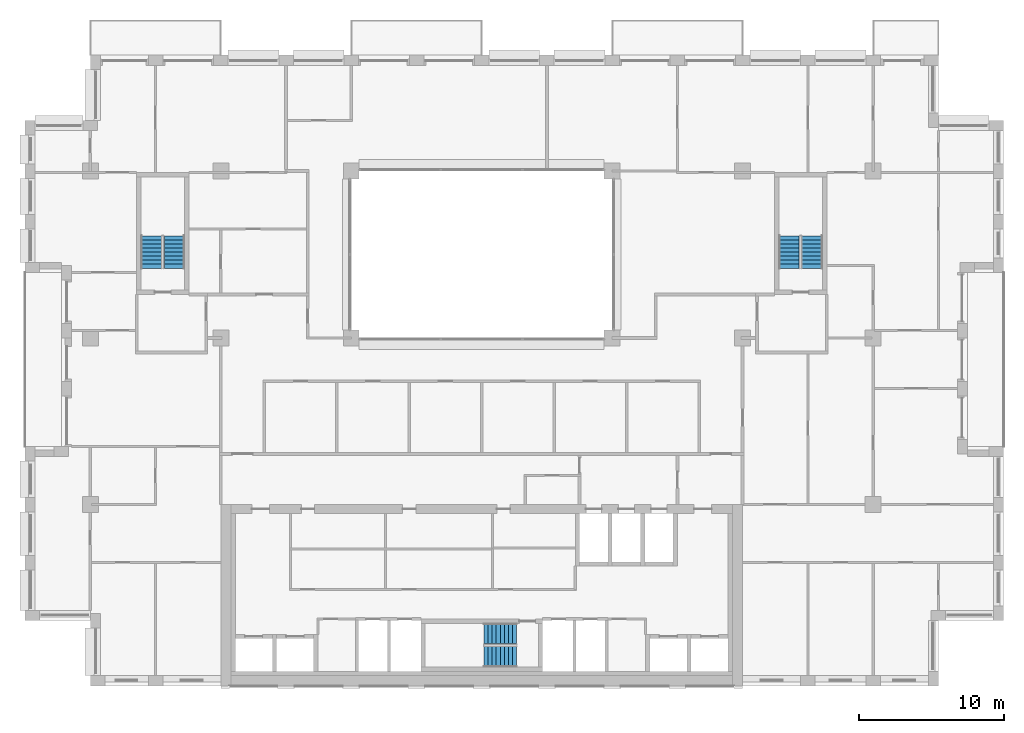
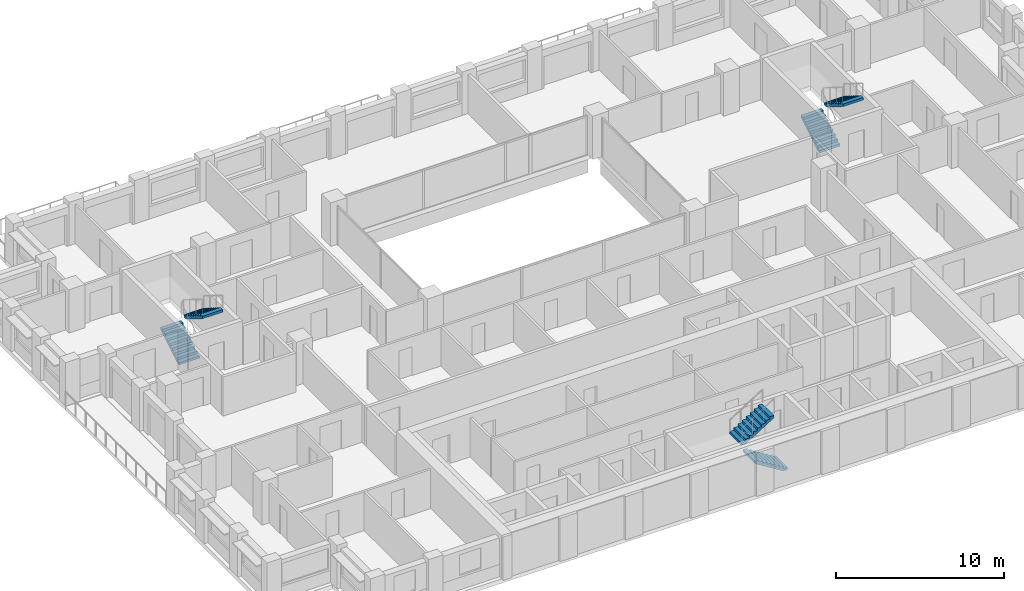
# One storey, part 15 of 16: 6 stair flights, 3 elements without a shape of their own.
"""IFC4 building model written with IfcOpenShell, lengths in metres."""

from ifc_helpers import new_model, si_unit, direction, frame, origin, place, context, subcontext, project, spatial, polyline, outline, extrude, material, type_object, element, aggregate, save


model = new_model("IFC4")

# Units and contexts
model_context = context("Model", 3, precision=1e-05, world=origin(), true_north=direction((0.0, 1.0)))
body_context = subcontext(model_context, "Body", "Model", "MODEL_VIEW")
ifc_project = project(units=[si_unit("LENGTHUNIT", "METRE"), si_unit("AREAUNIT", "SQUARE_METRE"), si_unit("VOLUMEUNIT", "CUBIC_METRE"), si_unit("PLANEANGLEUNIT", "RADIAN"), si_unit("MASSUNIT", "GRAM", prefix="KILO")], contexts=[model_context])

# Site, building, storey
site_placement = place(None, origin())
site = spatial("IfcSite", under=ifc_project, at=site_placement, CompositionType="ELEMENT")
building_placement = place(site_placement, origin())
building = spatial("IfcBuilding", under=site, at=building_placement, Name="Brigalow Station Residences", CompositionType="ELEMENT")
storey_placement = place(building_placement, frame((0.0, 0.0, 179.10009765625)))
storey = spatial("IfcBuildingStorey", under=building, at=storey_placement, Name="L52", CompositionType="ELEMENT", Elevation=179.10009765625)

# Stair, stair flights
ifc_material_1 = material(Name="Concrete C50", Category="concrete")
stair_type = type_object("IfcStairType", Name="EXIT STAIR 1400 2 FLIGHT", PredefinedType="HALF_TURN_STAIR", material=ifc_material_1)
stair_1_placement = place(storey_placement, origin())
stair_1 = element("IfcStair", 1, at=stair_1_placement, inside=storey, type_object=stair_type, Name="EXIT STAIR S2 L52", PredefinedType="HALF_TURN_STAIR")
ifc_material_2 = material(Name="Concrete C50", Category="concrete")
stair_flight_type = type_object("IfcStairFlightType", Name="STAIR FLIGHT 1400", PredefinedType="STRAIGHT", material=ifc_material_2)
stair_flight_1_placement = place(storey_placement, frame((38.39990234375, 2.0, 0.0), z_axis=(0.0, 0.0, 1.0), x_axis=(-1.0, 0.0, 0.0)))
stair_flight_1 = element("IfcStairFlight", 2, at=stair_flight_1_placement, type_object=stair_flight_type, Name="ST-2 flight 1", NumberOfRisers=9, NumberOfTreads=8, PredefinedType="STRAIGHT", RiserHeight=0.175, TreadLength=0.28, context=body_context, shape_type="SweptSolid", body=[
    extrude(outline(polyline([(0.0, 0.0), (0.0, 0.175048828125), (0.280029296875, 0.175048828125), (0.280029296875, 0.35009765625), (0.56005859375, 0.35009765625), (0.56005859375, 0.52490234375), (0.840087890625, 0.52490234375), (0.840087890625, 0.699951171875), (1.1201171875, 0.699951171875), (1.1201171875, 0.875), (1.39990234375, 0.875), (1.39990234375, 1.050048828125), (1.679931640625, 1.050048828125), (1.679931640625, 1.22509765625), (1.9599609375, 1.22509765625), (1.9599609375, 1.39990234375), (2.239990234375, 1.39990234375), (2.239990234375, 1.574951171875), (2.239990234375, 1.22314453125), (0.28271484375, 0.0), (0.0, 0.0)])), frame((0.0, 0.699951171875, 0.0), z_axis=(0.0, -1.0, 0.0), x_axis=(1.0, 0.0, 0.0)), (0.0, 0.0, 1.0), 1.39990234375),
])
stair_flight_2_placement = place(storey_placement, frame((36.159912109375, 3.60009765625, 1.574951171875), z_axis=(0.0, 0.0, 1.0), x_axis=(1.0, 0.0, 0.0)))
stair_flight_2 = element("IfcStairFlight", 3, at=stair_flight_2_placement, type_object=stair_flight_type, Name="ST-2 flight 2", NumberOfRisers=9, NumberOfTreads=8, PredefinedType="STRAIGHT", RiserHeight=0.175, TreadLength=0.28, context=body_context, shape_type="SweptSolid", body=[
    extrude(outline(polyline([(0.0, 0.0), (0.0, 0.175048828125), (0.280029296875, 0.175048828125), (0.280029296875, 0.35009765625), (0.56005859375, 0.35009765625), (0.56005859375, 0.52490234375), (0.840087890625, 0.52490234375), (0.840087890625, 0.699951171875), (1.1201171875, 0.699951171875), (1.1201171875, 0.875), (1.39990234375, 0.875), (1.39990234375, 1.050048828125), (1.679931640625, 1.050048828125), (1.679931640625, 1.22509765625), (1.9599609375, 1.22509765625), (1.9599609375, 1.39990234375), (2.239990234375, 1.39990234375), (2.239990234375, 1.574951171875), (2.239990234375, 1.22314453125), (0.28271484375, 0.0), (0.0, 0.0)])), frame((0.0, 0.699951171875, 0.0), z_axis=(0.0, -1.0, 0.0), x_axis=(1.0, 0.0, 0.0)), (0.0, 0.0, 1.0), 1.39990234375),
])
aggregate(stair_1, [stair_flight_1, stair_flight_2])

stair_2_placement = place(storey_placement, origin())
stair_2 = element("IfcStair", 4, at=stair_2_placement, inside=storey, type_object=stair_type, Name="EXIT STAIR S1 L52", PredefinedType="HALF_TURN_STAIR")
stair_flight_3_placement = place(storey_placement, frame((13.199951171875, 28.800048828125, 0.0), z_axis=(0.0, 0.0, 1.0), x_axis=(0.0, 1.0, 0.0)))
stair_flight_3 = element("IfcStairFlight", 5, at=stair_flight_3_placement, type_object=stair_flight_type, Name="ST-1 flight 1", NumberOfRisers=9, NumberOfTreads=8, PredefinedType="STRAIGHT", RiserHeight=0.175, TreadLength=0.28, context=body_context, shape_type="SweptSolid", body=[
    extrude(outline(polyline([(0.0, 0.0), (0.0, 0.175048828125), (0.280029296875, 0.175048828125), (0.280029296875, 0.35009765625), (0.56005859375, 0.35009765625), (0.56005859375, 0.52490234375), (0.840087890625, 0.52490234375), (0.840087890625, 0.699951171875), (1.1201171875, 0.699951171875), (1.1201171875, 0.875), (1.39990234375, 0.875), (1.39990234375, 1.050048828125), (1.679931640625, 1.050048828125), (1.679931640625, 1.22509765625), (1.9599609375, 1.22509765625), (1.9599609375, 1.39990234375), (2.239990234375, 1.39990234375), (2.239990234375, 1.574951171875), (2.239990234375, 1.22314453125), (0.28271484375, 0.0), (0.0, 0.0)])), frame((0.0, 0.699951171875, 0.0), z_axis=(0.0, -1.0, 0.0), x_axis=(1.0, 0.0, 0.0)), (0.0, 0.0, 1.0), 1.39990234375),
])
stair_flight_4_placement = place(storey_placement, frame((14.800048828125, 31.0400390625, 1.574951171875), z_axis=(0.0, 0.0, 1.0), x_axis=(0.0, -1.0, 0.0)))
stair_flight_4 = element("IfcStairFlight", 6, at=stair_flight_4_placement, type_object=stair_flight_type, Name="ST-1 flight 2", NumberOfRisers=9, NumberOfTreads=8, PredefinedType="STRAIGHT", RiserHeight=0.175, TreadLength=0.28, context=body_context, shape_type="SweptSolid", body=[
    extrude(outline(polyline([(0.0, 0.0), (0.0, 0.175048828125), (0.280029296875, 0.175048828125), (0.280029296875, 0.35009765625), (0.56005859375, 0.35009765625), (0.56005859375, 0.52490234375), (0.840087890625, 0.52490234375), (0.840087890625, 0.699951171875), (1.1201171875, 0.699951171875), (1.1201171875, 0.875), (1.39990234375, 0.875), (1.39990234375, 1.050048828125), (1.679931640625, 1.050048828125), (1.679931640625, 1.22509765625), (1.9599609375, 1.22509765625), (1.9599609375, 1.39990234375), (2.239990234375, 1.39990234375), (2.239990234375, 1.574951171875), (2.239990234375, 1.22314453125), (0.28271484375, 0.0), (0.0, 0.0)])), frame((0.0, 0.699951171875, 0.0), z_axis=(0.0, -1.0, 0.0), x_axis=(1.0, 0.0, 0.0)), (0.0, 0.0, 1.0), 1.39990234375),
])
aggregate(stair_2, [stair_flight_3, stair_flight_4])

stair_3_placement = place(storey_placement, origin())
stair_3 = element("IfcStair", 7, at=stair_3_placement, inside=storey, type_object=stair_type, Name="EXIT STAIR S3 L52", PredefinedType="HALF_TURN_STAIR")
stair_flight_5_placement = place(storey_placement, frame((57.199951171875, 28.800048828125, 0.0), z_axis=(0.0, 0.0, 1.0), x_axis=(0.0, 1.0, 0.0)))
stair_flight_5 = element("IfcStairFlight", 8, at=stair_flight_5_placement, type_object=stair_flight_type, Name="ST-3 flight 1", NumberOfRisers=9, NumberOfTreads=8, PredefinedType="STRAIGHT", RiserHeight=0.175, TreadLength=0.28, context=body_context, shape_type="SweptSolid", body=[
    extrude(outline(polyline([(0.0, 0.0), (0.0, 0.175048828125), (0.280029296875, 0.175048828125), (0.280029296875, 0.35009765625), (0.56005859375, 0.35009765625), (0.56005859375, 0.52490234375), (0.840087890625, 0.52490234375), (0.840087890625, 0.699951171875), (1.1201171875, 0.699951171875), (1.1201171875, 0.875), (1.39990234375, 0.875), (1.39990234375, 1.050048828125), (1.679931640625, 1.050048828125), (1.679931640625, 1.22509765625), (1.9599609375, 1.22509765625), (1.9599609375, 1.39990234375), (2.239990234375, 1.39990234375), (2.239990234375, 1.574951171875), (2.239990234375, 1.22314453125), (0.28271484375, 0.0), (0.0, 0.0)])), frame((0.0, 0.699951171875, 0.0), z_axis=(0.0, -1.0, 0.0), x_axis=(1.0, 0.0, 0.0)), (0.0, 0.0, 1.0), 1.39990234375),
])
stair_flight_6_placement = place(storey_placement, frame((58.800048828125, 31.0400390625, 1.574951171875), z_axis=(0.0, 0.0, 1.0), x_axis=(0.0, -1.0, 0.0)))
stair_flight_6 = element("IfcStairFlight", 9, at=stair_flight_6_placement, type_object=stair_flight_type, Name="ST-3 flight 2", NumberOfRisers=9, NumberOfTreads=8, PredefinedType="STRAIGHT", RiserHeight=0.175, TreadLength=0.28, context=body_context, shape_type="SweptSolid", body=[
    extrude(outline(polyline([(0.0, 0.0), (0.0, 0.175048828125), (0.280029296875, 0.175048828125), (0.280029296875, 0.35009765625), (0.56005859375, 0.35009765625), (0.56005859375, 0.52490234375), (0.840087890625, 0.52490234375), (0.840087890625, 0.699951171875), (1.1201171875, 0.699951171875), (1.1201171875, 0.875), (1.39990234375, 0.875), (1.39990234375, 1.050048828125), (1.679931640625, 1.050048828125), (1.679931640625, 1.22509765625), (1.9599609375, 1.22509765625), (1.9599609375, 1.39990234375), (2.239990234375, 1.39990234375), (2.239990234375, 1.574951171875), (2.239990234375, 1.22314453125), (0.28271484375, 0.0), (0.0, 0.0)])), frame((0.0, 0.699951171875, 0.0), z_axis=(0.0, -1.0, 0.0), x_axis=(1.0, 0.0, 0.0)), (0.0, 0.0, 1.0), 1.39990234375),
])
aggregate(stair_3, [stair_flight_5, stair_flight_6])

save(model, "model.ifc")
